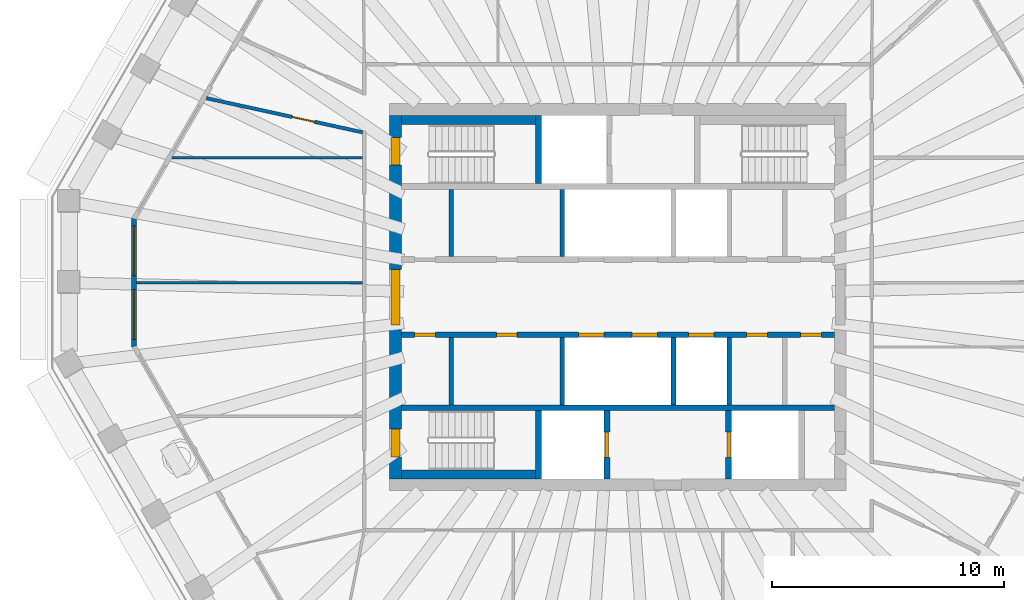
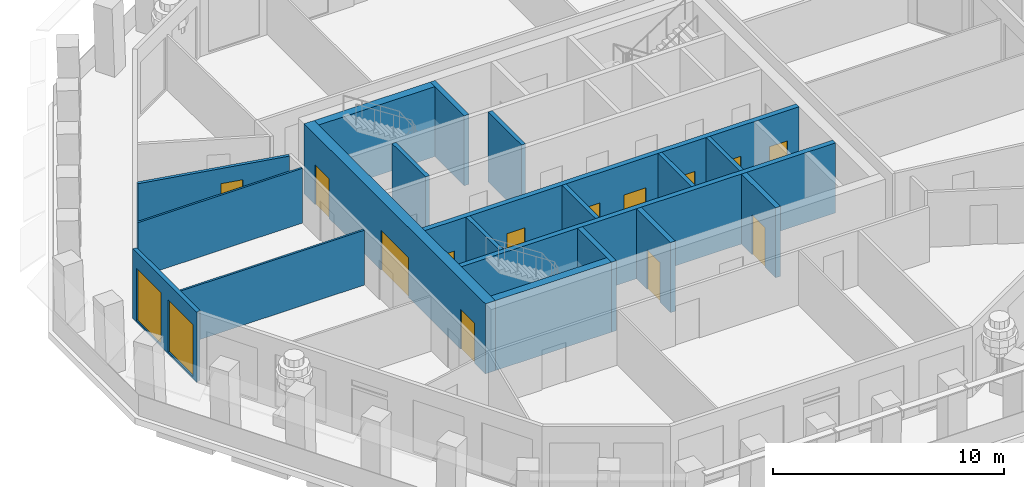
# One storey, part 4 of 11: 19 walls, 13 doors, 2 windows, 15 openings.
"""IFC4 building model written with IfcOpenShell, lengths in metres."""

from ifc_helpers import new_model, si_unit, direction, frame, frame_2d, origin, place, context, subcontext, project, spatial, polyline, rectangle, outline, extrude, material, layer, layer_set, type_object, element, fill, save


model = new_model("IFC4")

# Units and contexts
model_context = context("Model", 3, precision=1e-05, world=origin(), true_north=direction((0.0, 1.0)))
body_context = subcontext(model_context, "Body", "Model", "MODEL_VIEW")
ifc_project = project(units=[si_unit("LENGTHUNIT", "METRE"), si_unit("AREAUNIT", "SQUARE_METRE"), si_unit("VOLUMEUNIT", "CUBIC_METRE"), si_unit("PLANEANGLEUNIT", "RADIAN"), si_unit("MASSUNIT", "GRAM", prefix="KILO")], contexts=[model_context])

# Site, building, storey
site_placement = place(None, origin())
site = spatial("IfcSite", under=ifc_project, at=site_placement, CompositionType="ELEMENT")
building_placement = place(site_placement, origin())
building = spatial("IfcBuilding", under=site, at=building_placement, Name="Frailejon Research Tower", CompositionType="ELEMENT")
storey_placement = place(building_placement, frame((0.0, 0.0, 283.0)))
storey = spatial("IfcBuildingStorey", under=building, at=storey_placement, Name="L62", CompositionType="ELEMENT", Elevation=283.0)

# Wall, openings, doors
ifc_material_1 = material(Name="Concrete C50/60", Category="concrete")
ifc_layer_1 = layer(ifc_material_1, 0.5)
ifc_layer_set_1 = layer_set([ifc_layer_1], Name="Core shear wall 500 C50/60")
wall_type_1 = type_object("IfcWallType", Name="Core shear wall 500 C50/60", PredefinedType="SHEAR", material=ifc_layer_set_1)
wall_1_placement = place(storey_placement, frame((-9.60009765625, -7.85009765625, 0.0), z_axis=(0.0, 0.0, 1.0), x_axis=(0.0, 1.0, 0.0)))
wall_1 = element("IfcWall", 1, at=wall_1_placement, inside=storey, type_object=wall_type_1, Name="Core shear wall", PredefinedType="SHEAR", context=body_context, shape_type="SweptSolid", body=[
    extrude(rectangle(XDim=15.7001953125, YDim=0.5, at=frame_2d((7.85009765625, 0.0))), origin(), (0.0, 0.0, 1.0), 3.699951171875),
])
opening_1_placement = place(wall_1_placement, frame((6.64990234375, 0.0, 0.0)))
opening_1 = element("IfcOpeningElement", 2, at=opening_1_placement, cuts=wall_1, Name="Opening D2", PredefinedType="OPENING", context=body_context, shape_type="SweptSolid", body=[
    extrude(rectangle(XDim=2.39990234375, YDim=2.10009765625, at=frame_2d((1.199951171875, 1.050048828125))), frame((0.0, 0.260009765625, 0.0), z_axis=(0.0, -1.0, 0.0), x_axis=(1.0, 0.0, 0.0)), (0.0, 0.0, 1.0), 0.52001953125),
])
opening_2_placement = place(wall_1_placement, frame((13.550048828125, 0.0, 0.0)))
opening_2 = element("IfcOpeningElement", 3, at=opening_2_placement, cuts=wall_1, Name="Opening D1", PredefinedType="OPENING", context=body_context, shape_type="SweptSolid", body=[
    extrude(rectangle(XDim=1.199951171875, YDim=2.10009765625, at=frame_2d((0.60009765625, 1.050048828125))), frame((0.0, 0.260009765625, 0.0), z_axis=(0.0, -1.0, 0.0), x_axis=(1.0, 0.0, 0.0)), (0.0, 0.0, 1.0), 0.52001953125),
])
opening_3_placement = place(wall_1_placement, frame((0.949951171875, 0.0, 0.0)))
opening_3 = element("IfcOpeningElement", 4, at=opening_3_placement, cuts=wall_1, Name="Opening D1", PredefinedType="OPENING", context=body_context, shape_type="SweptSolid", body=[
    extrude(rectangle(XDim=1.199951171875, YDim=2.10009765625, at=frame_2d((0.60009765625, 1.050048828125))), frame((0.0, 0.260009765625, 0.0), z_axis=(0.0, -1.0, 0.0), x_axis=(1.0, 0.0, 0.0)), (0.0, 0.0, 1.0), 0.52001953125),
])
ifc_material_2 = material(Name="Steel", Category="steel")
door_type_1 = type_object("IfcDoorType", Name="Lobby double door", OperationType="DOUBLE_DOOR_SINGLE_SWING", PredefinedType="DOOR", material=ifc_material_2)
door_1_placement = place(opening_1_placement, origin())
door_1 = element("IfcDoor", 5, at=door_1_placement, inside=storey, type_object=door_type_1, Name="Lobby door", OperationType="DOUBLE_DOOR_SINGLE_SWING", OverallHeight=2.10009765625, OverallWidth=2.39990234375, PredefinedType="DOOR", context=body_context, shape_type="SweptSolid", body=[
    extrude(rectangle(XDim=2.39990234375, YDim=2.10009765625, at=frame_2d((1.199951171875, 1.050048828125))), frame((0.0, 0.199951171875, 0.0), z_axis=(0.0, -1.0, 0.0), x_axis=(1.0, 0.0, 0.0)), (0.0, 0.0, 1.0), 0.39990234375),
])
fill(opening_1, door_1)
ifc_material_3 = material(Name="Steel", Category="steel")
door_type_2 = type_object("IfcDoorType", Name="Stair door", OperationType="SINGLE_SWING_LEFT", PredefinedType="DOOR", material=ifc_material_3)
door_2_placement = place(opening_2_placement, origin())
door_2 = element("IfcDoor", 6, at=door_2_placement, inside=storey, type_object=door_type_2, Name="Stair door ST1", OperationType="SINGLE_SWING_RIGHT", OverallHeight=2.10009765625, OverallWidth=1.199951171875, PredefinedType="DOOR", context=body_context, shape_type="SweptSolid", body=[
    extrude(rectangle(XDim=1.199951171875, YDim=2.10009765625, at=frame_2d((0.60009765625, 1.050048828125))), frame((0.0, 0.199951171875, 0.0), z_axis=(0.0, -1.0, 0.0), x_axis=(1.0, 0.0, 0.0)), (0.0, 0.0, 1.0), 0.39990234375),
])
fill(opening_2, door_2)
door_3_placement = place(opening_3_placement, origin())
door_3 = element("IfcDoor", 7, at=door_3_placement, inside=storey, type_object=door_type_2, Name="Stair door ST2", OperationType="SINGLE_SWING_LEFT", OverallHeight=2.10009765625, OverallWidth=1.199951171875, PredefinedType="DOOR", context=body_context, shape_type="SweptSolid", body=[
    extrude(rectangle(XDim=1.199951171875, YDim=2.10009765625, at=frame_2d((0.60009765625, 1.050048828125))), frame((0.0, 0.199951171875, 0.0), z_axis=(0.0, -1.0, 0.0), x_axis=(1.0, 0.0, 0.0)), (0.0, 0.0, 1.0), 0.39990234375),
])
fill(opening_3, door_3)

# Wall, opening, door
ifc_material_4 = material(Name="Gypsum board and masonry partition", Category="masonry")
ifc_layer_2 = layer(ifc_material_4, 0.14990234375)
ifc_layer_set_2 = layer_set([ifc_layer_2], Name="Corridor wall EI 60, gypsum on steel studs 150")
wall_type_2 = type_object("IfcWallType", Name="Corridor wall EI 60, gypsum on steel studs 150", PredefinedType="PARTITIONING", material=ifc_layer_set_2)
wall_2_placement = place(storey_placement, frame((-17.764404296875, 8.587890625, 0.0), z_axis=(0.0, 0.0, 1.0), x_axis=(0.976982119669, -0.213321208152, 0.0)))
wall_2 = element("IfcWall", 8, at=wall_2_placement, inside=storey, type_object=wall_type_2, Name="T:IW:L62:002", PredefinedType="PARTITIONING", context=body_context, shape_type="SweptSolid", body=[
    extrude(rectangle(XDim=6.900146484375, YDim=0.14990234375, at=frame_2d((3.4501953125, 0.0))), origin(), (0.0, 0.0, 1.0), 2.89990234375),
])
opening_4_placement = place(wall_2_placement, frame((3.77880859375, 0.0, 0.0)))
opening_4 = element("IfcOpeningElement", 9, at=opening_4_placement, cuts=wall_2, Name="Opening D2194", PredefinedType="OPENING", context=body_context, shape_type="SweptSolid", body=[
    extrude(rectangle(XDim=1.0, YDim=2.10009765625, at=frame_2d((0.5, 1.050048828125))), frame((0.0, 0.0849609375, 0.0), z_axis=(0.0, -1.0, 0.0), x_axis=(1.0, 0.0, 0.0)), (0.0, 0.0, 1.0), 0.169921875),
])
ifc_material_5 = material(Name="Timber door leaf", Category="wood")
door_type_3 = type_object("IfcDoorType", Name="Door single leaf, timber, steel frame 1000", OperationType="NOTDEFINED", PredefinedType="DOOR", material=ifc_material_5)
door_4_placement = place(opening_4_placement, origin())
door_4 = element("IfcDoor", 10, at=door_4_placement, inside=storey, type_object=door_type_3, Name="D2194", OperationType="SINGLE_SWING_RIGHT", OverallHeight=2.10009765625, OverallWidth=1.0, PredefinedType="DOOR", context=body_context, shape_type="SweptSolid", body=[
    extrude(rectangle(XDim=1.0, YDim=2.10009765625, at=frame_2d((0.5, 1.050048828125))), frame((0.0, 0.02490234375, 0.0), z_axis=(0.0, -1.0, 0.0), x_axis=(1.0, 0.0, 0.0)), (0.0, 0.0, 1.0), 0.050048828125),
])
fill(opening_4, door_4)

# Walls
ifc_material_6 = material(Name="Gypsum board and masonry partition", Category="masonry")
ifc_layer_3 = layer(ifc_material_6, 0.10009765625)
ifc_layer_set_3 = layer_set([ifc_layer_3], Name="Partition, gypsum on steel studs 100")
wall_type_3 = type_object("IfcWallType", Name="Partition, gypsum on steel studs 100", PredefinedType="PARTITIONING", material=ifc_layer_set_3)
wall_3_placement = place(storey_placement, frame((-20.78662109375, 0.62841796875, 0.0), z_axis=(0.0, 0.0, 1.0), x_axis=(1.0, 0.0, 0.0)))
element("IfcWall", 11, at=wall_3_placement, inside=storey, type_object=wall_type_3, Name="T:IW:L62:014", PredefinedType="PARTITIONING", context=body_context, shape_type="SweptSolid", body=[
    extrude(rectangle(XDim=9.76171875, YDim=0.10009765625, at=frame_2d((4.880859375, 0.0))), origin(), (0.0, 0.0, 1.0), 2.89990234375),
])
wall_4_placement = place(storey_placement, frame((-19.247314453125, 6.02001953125, 0.0), z_axis=(0.0, 0.0, 1.0), x_axis=(1.0, 0.0, 0.0)))
element("IfcWall", 12, at=wall_4_placement, inside=storey, type_object=wall_type_3, Name="T:IW:L62:020", PredefinedType="PARTITIONING", context=body_context, shape_type="SweptSolid", body=[
    extrude(rectangle(XDim=8.222412109375, YDim=0.10009765625, at=frame_2d((4.111328125, 0.0))), origin(), (0.0, 0.0, 1.0), 2.89990234375),
])
ifc_material_7 = material(Name="Concrete C50/60", Category="concrete")
ifc_layer_4 = layer(ifc_material_7, 0.199951171875)
ifc_layer_set_4 = layer_set([ifc_layer_4], Name="Shaft wall 200 C50/60")
wall_type_4 = type_object("IfcWallType", Name="Shaft wall 200 C50/60", PredefinedType="SOLIDWALL", material=ifc_layer_set_4)
for number, where, z_axis, x_axis, name in (
    (13, (-7.199951171875, 1.75, 0.0), (0.0, 0.0, 1.0), (0.0, 1.0, 0.0), "Shaft wall"),
    (14, (-2.39990234375, 1.75, 0.0), (0.0, 0.0, 1.0), (0.0, 1.0, 0.0), "Shaft wall"),
    (15, (-7.199951171875, -4.64990234375, 0.0), (0.0, 0.0, 1.0), (0.0, 1.0, 0.0), "Shaft wall"),
    (16, (-2.39990234375, -4.64990234375, 0.0), (0.0, 0.0, 1.0), (0.0, 1.0, 0.0), "Shaft wall"),
    (17, (2.39990234375, -4.64990234375, 0.0), (0.0, 0.0, 1.0), (0.0, 1.0, 0.0), "Shaft wall"),
    (18, (4.800048828125, -4.64990234375, 0.0), (0.0, 0.0, 1.0), (0.0, 1.0, 0.0), "Shaft wall"),
):
    element("IfcWall", number, at=place(storey_placement, frame(where, z_axis=z_axis, x_axis=x_axis)), inside=storey, type_object=wall_type_4, Name=name, PredefinedType="SOLIDWALL", context=body_context, shape_type="SweptSolid", body=[
        extrude(rectangle(XDim=2.89990234375, YDim=0.199951171875, at=frame_2d((1.449951171875, 0.0))), origin(), (0.0, 0.0, 1.0), 3.699951171875),
    ])

# Wall, openings, doors
ifc_material_8 = material(Name="Concrete C50/60", Category="concrete")
ifc_layer_5 = layer(ifc_material_8, 0.25)
ifc_layer_set_5 = layer_set([ifc_layer_5], Name="Shaft wall 250 C50/60")
wall_type_5 = type_object("IfcWallType", Name="Shaft wall 250 C50/60", PredefinedType="SOLIDWALL", material=ifc_layer_set_5)
wall_5_placement = place(storey_placement, frame((-9.35009765625, -1.625, 0.0), z_axis=(0.0, 0.0, 1.0), x_axis=(1.0, 0.0, 0.0)))
wall_5 = element("IfcWall", 19, at=wall_5_placement, inside=storey, type_object=wall_type_5, Name="Shaft wall", PredefinedType="SOLIDWALL", context=body_context, shape_type="SweptSolid", body=[
    extrude(rectangle(XDim=18.7001953125, YDim=0.25, at=frame_2d((9.35009765625, 0.0))), origin(), (0.0, 0.0, 1.0), 3.699951171875),
])
opening_5_placement = place(wall_5_placement, frame((7.64990234375, 0.0, 0.0)))
opening_5 = element("IfcOpeningElement", 20, at=opening_5_placement, cuts=wall_5, Name="Opening LD", PredefinedType="OPENING", context=body_context, shape_type="SweptSolid", body=[
    extrude(rectangle(XDim=1.10009765625, YDim=2.10009765625, at=frame_2d((0.550048828125, 1.050048828125))), frame((0.0, 0.135009765625, 0.0), z_axis=(0.0, -1.0, 0.0), x_axis=(1.0, 0.0, 0.0)), (0.0, 0.0, 1.0), 0.27001953125),
])
opening_6_placement = place(wall_5_placement, frame((9.949951171875, 0.0, 0.0)))
opening_6 = element("IfcOpeningElement", 21, at=opening_6_placement, cuts=wall_5, Name="Opening LD", PredefinedType="OPENING", context=body_context, shape_type="SweptSolid", body=[
    extrude(rectangle(XDim=1.10009765625, YDim=2.10009765625, at=frame_2d((0.550048828125, 1.050048828125))), frame((0.0, 0.135009765625, 0.0), z_axis=(0.0, -1.0, 0.0), x_axis=(1.0, 0.0, 0.0)), (0.0, 0.0, 1.0), 0.27001953125),
])
opening_7_placement = place(wall_5_placement, frame((12.39990234375, 0.0, 0.0)))
opening_7 = element("IfcOpeningElement", 22, at=opening_7_placement, cuts=wall_5, Name="Opening LD", PredefinedType="OPENING", context=body_context, shape_type="SweptSolid", body=[
    extrude(rectangle(XDim=1.10009765625, YDim=2.10009765625, at=frame_2d((0.550048828125, 1.050048828125))), frame((0.0, 0.135009765625, 0.0), z_axis=(0.0, -1.0, 0.0), x_axis=(1.0, 0.0, 0.0)), (0.0, 0.0, 1.0), 0.27001953125),
])
opening_8_placement = place(wall_5_placement, frame((0.574951171875, 0.0, 0.0)))
opening_8 = element("IfcOpeningElement", 23, at=opening_8_placement, cuts=wall_5, Name="Opening D8", PredefinedType="OPENING", context=body_context, shape_type="SweptSolid", body=[
    extrude(rectangle(XDim=0.89990234375, YDim=2.10009765625, at=frame_2d((0.449951171875, 1.050048828125))), frame((0.0, 0.135009765625, 0.0), z_axis=(0.0, -1.0, 0.0), x_axis=(1.0, 0.0, 0.0)), (0.0, 0.0, 1.0), 0.27001953125),
])
opening_9_placement = place(wall_5_placement, frame((4.10009765625, 0.0, 0.0)))
opening_9 = element("IfcOpeningElement", 24, at=opening_9_placement, cuts=wall_5, Name="Opening D8", PredefinedType="OPENING", context=body_context, shape_type="SweptSolid", body=[
    extrude(rectangle(XDim=0.89990234375, YDim=2.10009765625, at=frame_2d((0.449951171875, 1.050048828125))), frame((0.0, 0.135009765625, 0.0), z_axis=(0.0, -1.0, 0.0), x_axis=(1.0, 0.0, 0.0)), (0.0, 0.0, 1.0), 0.27001953125),
])
opening_10_placement = place(wall_5_placement, frame((14.89990234375, 0.0, 0.0)))
opening_10 = element("IfcOpeningElement", 25, at=opening_10_placement, cuts=wall_5, Name="Opening D8", PredefinedType="OPENING", context=body_context, shape_type="SweptSolid", body=[
    extrude(rectangle(XDim=0.89990234375, YDim=2.10009765625, at=frame_2d((0.449951171875, 1.050048828125))), frame((0.0, 0.135009765625, 0.0), z_axis=(0.0, -1.0, 0.0), x_axis=(1.0, 0.0, 0.0)), (0.0, 0.0, 1.0), 0.27001953125),
])
opening_11_placement = place(wall_5_placement, frame((17.22509765625, 0.0, 0.0)))
opening_11 = element("IfcOpeningElement", 26, at=opening_11_placement, cuts=wall_5, Name="Opening D8", PredefinedType="OPENING", context=body_context, shape_type="SweptSolid", body=[
    extrude(rectangle(XDim=0.89990234375, YDim=2.10009765625, at=frame_2d((0.449951171875, 1.050048828125))), frame((0.0, 0.135009765625, 0.0), z_axis=(0.0, -1.0, 0.0), x_axis=(1.0, 0.0, 0.0)), (0.0, 0.0, 1.0), 0.27001953125),
])
ifc_material_9 = material(Name="Steel", Category="steel")
door_type_4 = type_object("IfcDoorType", Name="Core room door", OperationType="SINGLE_SWING_LEFT", PredefinedType="DOOR", material=ifc_material_9)
door_5_placement = place(opening_8_placement, origin())
door_5 = element("IfcDoor", 27, at=door_5_placement, inside=storey, type_object=door_type_4, Name="Room door", OperationType="SINGLE_SWING_RIGHT", OverallHeight=2.10009765625, OverallWidth=0.89990234375, PredefinedType="DOOR", context=body_context, shape_type="SweptSolid", body=[
    extrude(rectangle(XDim=0.89990234375, YDim=2.10009765625, at=frame_2d((0.449951171875, 1.050048828125))), frame((0.0, 0.074951171875, 0.0), z_axis=(0.0, -1.0, 0.0), x_axis=(1.0, 0.0, 0.0)), (0.0, 0.0, 1.0), 0.14990234375),
])
fill(opening_8, door_5)
door_6_placement = place(opening_9_placement, origin())
door_6 = element("IfcDoor", 28, at=door_6_placement, inside=storey, type_object=door_type_4, Name="Room door", OperationType="SINGLE_SWING_LEFT", OverallHeight=2.10009765625, OverallWidth=0.89990234375, PredefinedType="DOOR", context=body_context, shape_type="SweptSolid", body=[
    extrude(rectangle(XDim=0.89990234375, YDim=2.10009765625, at=frame_2d((0.449951171875, 1.050048828125))), frame((0.0, 0.074951171875, 0.0), z_axis=(0.0, -1.0, 0.0), x_axis=(1.0, 0.0, 0.0)), (0.0, 0.0, 1.0), 0.14990234375),
])
fill(opening_9, door_6)
door_7_placement = place(opening_10_placement, origin())
door_7 = element("IfcDoor", 29, at=door_7_placement, inside=storey, type_object=door_type_4, Name="Room door", OperationType="SINGLE_SWING_RIGHT", OverallHeight=2.10009765625, OverallWidth=0.89990234375, PredefinedType="DOOR", context=body_context, shape_type="SweptSolid", body=[
    extrude(rectangle(XDim=0.89990234375, YDim=2.10009765625, at=frame_2d((0.449951171875, 1.050048828125))), frame((0.0, 0.074951171875, 0.0), z_axis=(0.0, -1.0, 0.0), x_axis=(1.0, 0.0, 0.0)), (0.0, 0.0, 1.0), 0.14990234375),
])
fill(opening_10, door_7)
door_8_placement = place(opening_11_placement, origin())
door_8 = element("IfcDoor", 30, at=door_8_placement, inside=storey, type_object=door_type_4, Name="Room door", OperationType="SINGLE_SWING_LEFT", OverallHeight=2.10009765625, OverallWidth=0.89990234375, PredefinedType="DOOR", context=body_context, shape_type="SweptSolid", body=[
    extrude(rectangle(XDim=0.89990234375, YDim=2.10009765625, at=frame_2d((0.449951171875, 1.050048828125))), frame((0.0, 0.074951171875, 0.0), z_axis=(0.0, -1.0, 0.0), x_axis=(1.0, 0.0, 0.0)), (0.0, 0.0, 1.0), 0.14990234375),
])
fill(opening_11, door_8)
ifc_material_10 = material(Name="Steel", Category="steel")
door_type_5 = type_object("IfcDoorType", Name="Lift landing door", OperationType="DOUBLE_DOOR_SLIDING", PredefinedType="DOOR", material=ifc_material_10)
door_9_placement = place(opening_5_placement, origin())
door_9 = element("IfcDoor", 31, at=door_9_placement, inside=storey, type_object=door_type_5, Name="Lift landing door", OperationType="DOUBLE_DOOR_SLIDING", OverallHeight=2.10009765625, OverallWidth=1.10009765625, PredefinedType="DOOR", context=body_context, shape_type="SweptSolid", body=[
    extrude(rectangle(XDim=1.10009765625, YDim=2.10009765625, at=frame_2d((0.550048828125, 1.050048828125))), frame((0.0, 0.074951171875, 0.0), z_axis=(0.0, -1.0, 0.0), x_axis=(1.0, 0.0, 0.0)), (0.0, 0.0, 1.0), 0.14990234375),
])
fill(opening_5, door_9)
door_10_placement = place(opening_6_placement, origin())
door_10 = element("IfcDoor", 32, at=door_10_placement, inside=storey, type_object=door_type_5, Name="Lift landing door", OperationType="DOUBLE_DOOR_SLIDING", OverallHeight=2.10009765625, OverallWidth=1.10009765625, PredefinedType="DOOR", context=body_context, shape_type="SweptSolid", body=[
    extrude(rectangle(XDim=1.10009765625, YDim=2.10009765625, at=frame_2d((0.550048828125, 1.050048828125))), frame((0.0, 0.074951171875, 0.0), z_axis=(0.0, -1.0, 0.0), x_axis=(1.0, 0.0, 0.0)), (0.0, 0.0, 1.0), 0.14990234375),
])
fill(opening_6, door_10)
door_11_placement = place(opening_7_placement, origin())
door_11 = element("IfcDoor", 33, at=door_11_placement, inside=storey, type_object=door_type_5, Name="Lift landing door", OperationType="DOUBLE_DOOR_SLIDING", OverallHeight=2.10009765625, OverallWidth=1.10009765625, PredefinedType="DOOR", context=body_context, shape_type="SweptSolid", body=[
    extrude(rectangle(XDim=1.10009765625, YDim=2.10009765625, at=frame_2d((0.550048828125, 1.050048828125))), frame((0.0, 0.074951171875, 0.0), z_axis=(0.0, -1.0, 0.0), x_axis=(1.0, 0.0, 0.0)), (0.0, 0.0, 1.0), 0.14990234375),
])
fill(opening_7, door_11)

# Walls
wall_6_placement = place(storey_placement, frame((-9.35009765625, -4.77490234375, 0.0), z_axis=(0.0, 0.0, 1.0), x_axis=(1.0, 0.0, 0.0)))
element("IfcWall", 34, at=wall_6_placement, inside=storey, type_object=wall_type_5, Name="Shaft wall", PredefinedType="SOLIDWALL", context=body_context, shape_type="SweptSolid", body=[
    extrude(rectangle(XDim=18.7001953125, YDim=0.25, at=frame_2d((9.35009765625, 0.0))), origin(), (0.0, 0.0, 1.0), 3.699951171875),
])
for number, where, z_axis, x_axis, name in (
    (35, (-3.425048828125, 4.89990234375, 0.0), (0.0, 0.0, 1.0), (0.0, 1.0, 0.0), "Shaft wall"),
    (36, (-3.425048828125, -7.85009765625, 0.0), (0.0, 0.0, 1.0), (0.0, 1.0, 0.0), "Shaft wall"),
):
    element("IfcWall", number, at=place(storey_placement, frame(where, z_axis=z_axis, x_axis=x_axis)), inside=storey, type_object=wall_type_5, Name=name, PredefinedType="SOLIDWALL", context=body_context, shape_type="SweptSolid", body=[
        extrude(rectangle(XDim=2.9501953125, YDim=0.25, at=frame_2d((1.47509765625, 0.0))), origin(), (0.0, 0.0, 1.0), 3.699951171875),
    ])

# Wall, opening, door
wall_7_placement = place(storey_placement, frame((-0.47509765625, -7.85009765625, 0.0), z_axis=(0.0, 0.0, 1.0), x_axis=(0.0, 1.0, 0.0)))
wall_7 = element("IfcWall", 37, at=wall_7_placement, inside=storey, type_object=wall_type_5, Name="Shaft wall", PredefinedType="SOLIDWALL", context=body_context, shape_type="SweptSolid", body=[
    extrude(rectangle(XDim=2.9501953125, YDim=0.25, at=frame_2d((1.47509765625, 0.0))), origin(), (0.0, 0.0, 1.0), 3.699951171875),
])
opening_12_placement = place(wall_7_placement, frame((0.925048828125, 0.0, 0.0)))
opening_12 = element("IfcOpeningElement", 38, at=opening_12_placement, cuts=wall_7, Name="Opening LD", PredefinedType="OPENING", context=body_context, shape_type="SweptSolid", body=[
    extrude(rectangle(XDim=1.10009765625, YDim=2.10009765625, at=frame_2d((0.550048828125, 1.050048828125))), frame((0.0, 0.135009765625, 0.0), z_axis=(0.0, -1.0, 0.0), x_axis=(1.0, 0.0, 0.0)), (0.0, 0.0, 1.0), 0.27001953125),
])
door_12_placement = place(opening_12_placement, origin())
door_12 = element("IfcDoor", 39, at=door_12_placement, inside=storey, type_object=door_type_5, Name="Lift landing door", OperationType="DOUBLE_DOOR_SLIDING", OverallHeight=2.10009765625, OverallWidth=1.10009765625, PredefinedType="DOOR", context=body_context, shape_type="SweptSolid", body=[
    extrude(rectangle(XDim=1.10009765625, YDim=2.10009765625, at=frame_2d((0.550048828125, 1.050048828125))), frame((0.0, 0.074951171875, 0.0), z_axis=(0.0, -1.0, 0.0), x_axis=(1.0, 0.0, 0.0)), (0.0, 0.0, 1.0), 0.14990234375),
])
fill(opening_12, door_12)

wall_8_placement = place(storey_placement, frame((4.77490234375, -7.85009765625, 0.0), z_axis=(0.0, 0.0, 1.0), x_axis=(0.0, 1.0, 0.0)))
wall_8 = element("IfcWall", 40, at=wall_8_placement, inside=storey, type_object=wall_type_5, Name="Shaft wall", PredefinedType="SOLIDWALL", context=body_context, shape_type="SweptSolid", body=[
    extrude(rectangle(XDim=2.9501953125, YDim=0.25, at=frame_2d((1.47509765625, 0.0))), origin(), (0.0, 0.0, 1.0), 3.699951171875),
])
opening_13_placement = place(wall_8_placement, frame((0.925048828125, 0.0, 0.0)))
opening_13 = element("IfcOpeningElement", 41, at=opening_13_placement, cuts=wall_8, Name="Opening LD", PredefinedType="OPENING", context=body_context, shape_type="SweptSolid", body=[
    extrude(rectangle(XDim=1.10009765625, YDim=2.10009765625, at=frame_2d((0.550048828125, 1.050048828125))), frame((0.0, 0.135009765625, 0.0), z_axis=(0.0, -1.0, 0.0), x_axis=(1.0, 0.0, 0.0)), (0.0, 0.0, 1.0), 0.27001953125),
])
door_13_placement = place(opening_13_placement, origin())
door_13 = element("IfcDoor", 42, at=door_13_placement, inside=storey, type_object=door_type_5, Name="Lift landing door", OperationType="DOUBLE_DOOR_SLIDING", OverallHeight=2.10009765625, OverallWidth=1.10009765625, PredefinedType="DOOR", context=body_context, shape_type="SweptSolid", body=[
    extrude(rectangle(XDim=1.10009765625, YDim=2.10009765625, at=frame_2d((0.550048828125, 1.050048828125))), frame((0.0, 0.074951171875, 0.0), z_axis=(0.0, -1.0, 0.0), x_axis=(1.0, 0.0, 0.0)), (0.0, 0.0, 1.0), 0.14990234375),
])
fill(opening_13, door_13)

# Walls
ifc_material_11 = material(Name="Concrete C50/60", Category="concrete")
ifc_layer_6 = layer(ifc_material_11, 0.39990234375)
ifc_layer_set_6 = layer_set([ifc_layer_6], Name="Shaft wall 400 C50/60")
wall_type_6 = type_object("IfcWallType", Name="Shaft wall 400 C50/60", PredefinedType="SOLIDWALL", material=ifc_layer_set_6)
for number, where, z_axis, x_axis, name in (
    (43, (-9.35009765625, 7.64990234375, 0.0), (0.0, 0.0, 1.0), (1.0, 0.0, 0.0), "Shaft wall"),
    (44, (-9.35009765625, -7.64990234375, 0.0), (0.0, 0.0, 1.0), (1.0, 0.0, 0.0), "Shaft wall"),
):
    element("IfcWall", number, at=place(storey_placement, frame(where, z_axis=z_axis, x_axis=x_axis)), inside=storey, type_object=wall_type_6, Name=name, PredefinedType="SOLIDWALL", context=body_context, shape_type="SweptSolid", body=[
        extrude(rectangle(XDim=5.800048828125, YDim=0.39990234375, at=frame_2d((2.89990234375, 0.0))), origin(), (0.0, 0.0, 1.0), 3.699951171875),
    ])

# Wall, openings, windows
ifc_material_12 = material(Name="Concrete C40/50 precast window wall panel", Category="concrete")
ifc_layer_7 = layer(ifc_material_12, 0.199951171875)
ifc_layer_set_7 = layer_set([ifc_layer_7], Name="Window wall 200")
wall_type_7 = type_object("IfcWallType", Name="Window wall 200", PredefinedType="SOLIDWALL", material=ifc_layer_set_7)
wall_9_placement = place(storey_placement, frame((-20.88671875, 3.380126953125, 0.0), z_axis=(0.0, 0.0, 1.0), x_axis=(0.0, -1.0, 0.0)))
wall_9 = element("IfcWall", 45, at=wall_9_placement, inside=storey, type_object=wall_type_7, Name="Exterior wall L62", PredefinedType="SOLIDWALL", context=body_context, shape_type="SweptSolid", body=[
    extrude(outline(polyline([(-0.02685546875, -0.10009765625), (1.08447265625, -0.10009765625), (2.196044921875, -0.10009765625), (3.307373046875, -0.10009765625), (4.4189453125, -0.10009765625), (5.5302734375, -0.10009765625), (5.4765625, 0.10009765625), (4.38671875, 0.10009765625), (3.296630859375, 0.10009765625), (2.206787109375, 0.10009765625), (1.11669921875, 0.10009765625), (0.02685546875, 0.10009765625), (-0.02685546875, -0.10009765625)])), origin(), (0.0, 0.0, 1.0), 3.699951171875),
])
opening_14_placement = place(wall_9_placement, frame((0.30078125, 0.0, 0.10009765625)))
opening_14 = element("IfcOpeningElement", 46, at=opening_14_placement, cuts=wall_9, Name="Opening W22", PredefinedType="OPENING", context=body_context, shape_type="SweptSolid", body=[
    extrude(rectangle(XDim=2.14990234375, YDim=2.75, at=frame_2d((1.074951171875, 1.375))), frame((0.0, 0.10986328125, 0.0), z_axis=(0.0, -1.0, 0.0), x_axis=(1.0, 0.0, 0.0)), (0.0, 0.0, 1.0), 0.219970703125),
])
opening_15_placement = place(wall_9_placement, frame((3.052490234375, 0.0, 0.10009765625)))
opening_15 = element("IfcOpeningElement", 47, at=opening_15_placement, cuts=wall_9, Name="Opening W22", PredefinedType="OPENING", context=body_context, shape_type="SweptSolid", body=[
    extrude(rectangle(XDim=2.14990234375, YDim=2.75, at=frame_2d((1.074951171875, 1.375))), frame((0.0, 0.10986328125, 0.0), z_axis=(0.0, -1.0, 0.0), x_axis=(1.0, 0.0, 0.0)), (0.0, 0.0, 1.0), 0.219970703125),
])
ifc_material_13 = material(Name="Aluminium framed double glazing", Category="aluminium")
window_type = type_object("IfcWindowType", Name="Window 2150x2750", PartitioningType="SINGLE_PANEL", PredefinedType="WINDOW", material=ifc_material_13)
window_1_placement = place(opening_14_placement, origin())
window_1 = element("IfcWindow", 48, at=window_1_placement, inside=storey, type_object=window_type, Name="Window L62", OverallHeight=2.75, OverallWidth=2.14990234375, PartitioningType="SINGLE_PANEL", PredefinedType="WINDOW", context=body_context, shape_type="SweptSolid", body=[
    extrude(rectangle(XDim=2.14990234375, YDim=2.75, at=frame_2d((1.074951171875, 1.375))), frame((0.0, 0.030029296875, 0.0), z_axis=(0.0, -1.0, 0.0), x_axis=(1.0, 0.0, 0.0)), (0.0, 0.0, 1.0), 0.06005859375),
])
fill(opening_14, window_1)
window_2_placement = place(opening_15_placement, origin())
window_2 = element("IfcWindow", 49, at=window_2_placement, inside=storey, type_object=window_type, Name="Window L62", OverallHeight=2.75, OverallWidth=2.14990234375, PartitioningType="SINGLE_PANEL", PredefinedType="WINDOW", context=body_context, shape_type="SweptSolid", body=[
    extrude(rectangle(XDim=2.14990234375, YDim=2.75, at=frame_2d((1.074951171875, 1.375))), frame((0.0, 0.030029296875, 0.0), z_axis=(0.0, -1.0, 0.0), x_axis=(1.0, 0.0, 0.0)), (0.0, 0.0, 1.0), 0.06005859375),
])
fill(opening_15, window_2)

save(model, "model.ifc")
